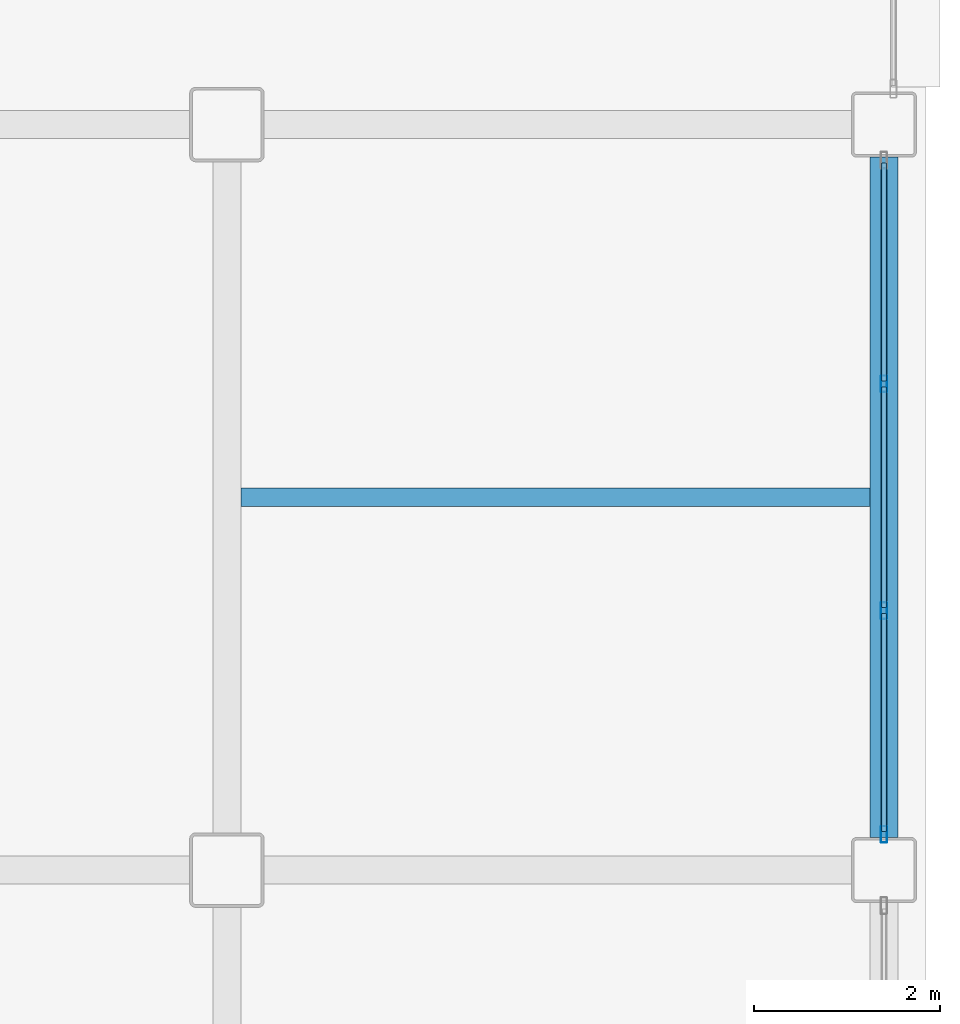
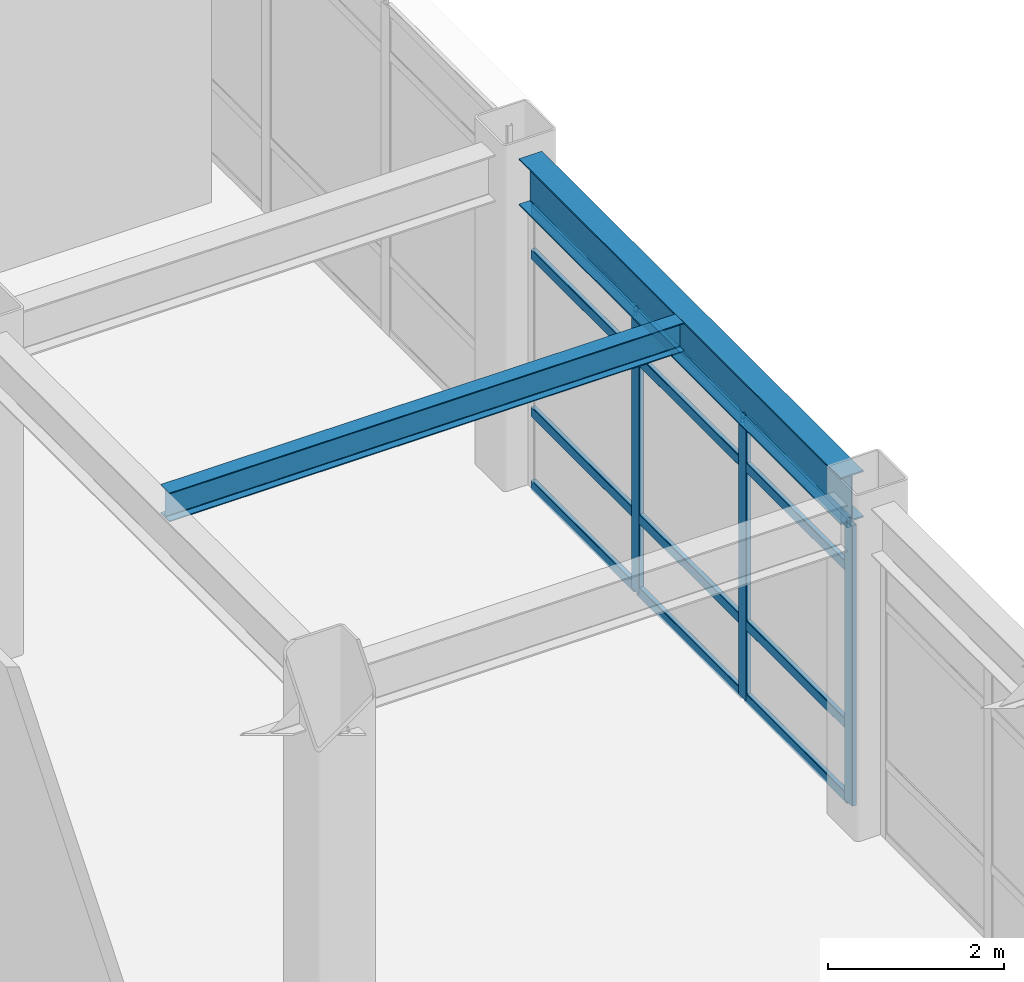
# One storey, part 97 of 154: 15 members, 2 beams, 1 element without a shape of its own.
"""IFC4 building model written with IfcOpenShell, lengths in metres."""

from ifc_helpers import new_model, si_unit, direction, frame, origin, origin_2d, place, context, subcontext, project, spatial, hollow_rectangle, i_section, extrude, material, layer, layer_set, material_profile, profile_set, type_object, element, aggregate, save


model = new_model("IFC4")

# Units and contexts
model_context = context("Model", 3, precision=1e-05, world=origin(), true_north=direction((0.0, 1.0)))
body_context = subcontext(model_context, "Body", "Model", "MODEL_VIEW")
ifc_project = project(units=[si_unit("LENGTHUNIT", "METRE"), si_unit("AREAUNIT", "SQUARE_METRE"), si_unit("VOLUMEUNIT", "CUBIC_METRE"), si_unit("PLANEANGLEUNIT", "RADIAN"), si_unit("MASSUNIT", "GRAM", prefix="KILO")], contexts=[model_context])

# Site, building, storey
site_placement = place(None, origin())
site = spatial("IfcSite", under=ifc_project, at=site_placement, CompositionType="ELEMENT")
building_placement = place(site_placement, origin())
building = spatial("IfcBuilding", under=site, at=building_placement, Name="Kazehara Bluff Congress Hotel", CompositionType="ELEMENT")
storey_placement = place(building_placement, frame((0.0, 0.0, 10.199951171875)))
storey = spatial("IfcBuildingStorey", under=building, at=storey_placement, Name="L02", CompositionType="ELEMENT", Elevation=10.199951171875)

# Curtain wall, members
ifc_material_1 = material(Name="Anodised aluminium", Category="aluminium")
ifc_layer = layer(ifc_material_1, 0.159912109375)
ifc_layer_set = layer_set([ifc_layer], Name="Anodised aluminium")
curtain_wall_type = type_object("IfcCurtainWallType", Name="TP-CW-80", PredefinedType="NOTDEFINED", material=ifc_layer_set)
curtain_wall_placement = place(storey_placement, origin())
curtain_wall = element("IfcCurtainWall", 1, at=curtain_wall_placement, inside=storey, type_object=curtain_wall_type, Name="L02 curtain wall CW-80 CW-V5-L02-X16755-5680", PredefinedType="NOTDEFINED")
ifc_material_2 = material(Name="Anodised aluminium", Category="aluminium")
ifc_material_profile_1 = material_profile(ifc_material_2, hollow_rectangle(XDim=0.06494140625, YDim=0.179931640625, WallThickness=0.00390625, InnerFilletRadius=0.00390625, OuterFilletRadius=0.008056640625, at=origin_2d()))
ifc_profile_set_1 = profile_set([ifc_material_profile_1], Name="Anodised aluminium")
member_type_1 = type_object("IfcMemberType", Name="TP-CWM-02", PredefinedType="MULLION", material=ifc_profile_set_1)
member_1_placement = place(storey_placement, frame((167.550048828125, 56.83251953125, 0.0), z_axis=(0.0, 0.0, 1.0), x_axis=(-1.0, 0.0, 0.0)))
member_1 = element("IfcMember", 2, at=member_1_placement, type_object=member_type_1, Name="CW-80 mullion 1", PredefinedType="MULLION", context=body_context, shape_type="SweptSolid", body=[
    extrude(hollow_rectangle(XDim=0.06494140625, YDim=0.179931640625, WallThickness=0.00390625, InnerFilletRadius=0.00390625, OuterFilletRadius=0.008056640625, at=origin_2d()), origin(), (0.0, 0.0, 1.0), 3.885009765625),
])
member_2_placement = place(storey_placement, frame((167.550048828125, 59.2333984375, 0.0), z_axis=(0.0, 0.0, 1.0), x_axis=(-1.0, 0.0, 0.0)))
member_2 = element("IfcMember", 3, at=member_2_placement, type_object=member_type_1, Name="CW-80 mullion 2", PredefinedType="MULLION", context=body_context, shape_type="SweptSolid", body=[
    extrude(hollow_rectangle(XDim=0.06494140625, YDim=0.179931640625, WallThickness=0.00390625, InnerFilletRadius=0.00390625, OuterFilletRadius=0.008056640625, at=origin_2d()), origin(), (0.0, 0.0, 1.0), 3.885009765625),
])
member_3_placement = place(storey_placement, frame((167.550048828125, 61.666748046875, 0.0), z_axis=(0.0, 0.0, 1.0), x_axis=(-1.0, 0.0, 0.0)))
member_3 = element("IfcMember", 4, at=member_3_placement, type_object=member_type_1, Name="CW-80 mullion 3", PredefinedType="MULLION", context=body_context, shape_type="SweptSolid", body=[
    extrude(hollow_rectangle(XDim=0.06494140625, YDim=0.179931640625, WallThickness=0.00390625, InnerFilletRadius=0.00390625, OuterFilletRadius=0.008056640625, at=origin_2d()), origin(), (0.0, 0.0, 1.0), 3.885009765625),
])
ifc_material_3 = material(Name="Anodised aluminium", Category="aluminium")
ifc_material_profile_2 = material_profile(ifc_material_3, hollow_rectangle(XDim=0.06494140625, YDim=0.139892578125, WallThickness=0.00390625, InnerFilletRadius=0.00390625, OuterFilletRadius=0.008056640625, at=origin_2d()))
ifc_profile_set_2 = profile_set([ifc_material_profile_2], Name="Anodised aluminium")
member_type_2 = type_object("IfcMemberType", Name="TP-CWT-02", PredefinedType="USERDEFINED", material=ifc_profile_set_2)
member_4_placement = place(storey_placement, frame((167.550048828125, 56.864990234375, 0.032470703125), z_axis=(0.0, 1.0, 0.0), x_axis=(-1.0, 0.0, 0.0)))
member_4 = element("IfcMember", 5, at=member_4_placement, type_object=member_type_2, Name="CW-80 transom 1.1", ObjectType="TRANSOM", PredefinedType="USERDEFINED", context=body_context, shape_type="SweptSolid", body=[
    extrude(hollow_rectangle(XDim=0.06494140625, YDim=0.139892578125, WallThickness=0.00390625, InnerFilletRadius=0.00390625, OuterFilletRadius=0.008056640625, at=origin_2d()), origin(), (0.0, 0.0, 1.0), 2.3359375),
])
member_5_placement = place(storey_placement, frame((167.550048828125, 56.864990234375, 1.050048828125), z_axis=(0.0, 1.0, 0.0), x_axis=(-1.0, 0.0, 0.0)))
member_5 = element("IfcMember", 6, at=member_5_placement, type_object=member_type_2, Name="CW-80 transom 1.2", ObjectType="TRANSOM", PredefinedType="USERDEFINED", context=body_context, shape_type="SweptSolid", body=[
    extrude(hollow_rectangle(XDim=0.06494140625, YDim=0.139892578125, WallThickness=0.00390625, InnerFilletRadius=0.00390625, OuterFilletRadius=0.008056640625, at=origin_2d()), origin(), (0.0, 0.0, 1.0), 2.3359375),
])
member_6_placement = place(storey_placement, frame((167.550048828125, 56.864990234375, 3.235107421875), z_axis=(0.0, 1.0, 0.0), x_axis=(-1.0, 0.0, 0.0)))
member_6 = element("IfcMember", 7, at=member_6_placement, type_object=member_type_2, Name="CW-80 transom 1.3", ObjectType="TRANSOM", PredefinedType="USERDEFINED", context=body_context, shape_type="SweptSolid", body=[
    extrude(hollow_rectangle(XDim=0.06494140625, YDim=0.139892578125, WallThickness=0.00390625, InnerFilletRadius=0.00390625, OuterFilletRadius=0.008056640625, at=origin_2d()), origin(), (0.0, 0.0, 1.0), 2.3359375),
])
member_7_placement = place(storey_placement, frame((167.550048828125, 56.864990234375, 3.8525390625), z_axis=(0.0, 1.0, 0.0), x_axis=(-1.0, 0.0, 0.0)))
member_7 = element("IfcMember", 8, at=member_7_placement, type_object=member_type_2, Name="CW-80 transom 1.4", ObjectType="TRANSOM", PredefinedType="USERDEFINED", context=body_context, shape_type="SweptSolid", body=[
    extrude(hollow_rectangle(XDim=0.06494140625, YDim=0.139892578125, WallThickness=0.00390625, InnerFilletRadius=0.00390625, OuterFilletRadius=0.008056640625, at=origin_2d()), origin(), (0.0, 0.0, 1.0), 2.3359375),
])
member_8_placement = place(storey_placement, frame((167.550048828125, 59.265869140625, 0.032470703125), z_axis=(0.0, 1.0, 0.0), x_axis=(-1.0, 0.0, 0.0)))
member_8 = element("IfcMember", 9, at=member_8_placement, type_object=member_type_2, Name="CW-80 transom 2.1", ObjectType="TRANSOM", PredefinedType="USERDEFINED", context=body_context, shape_type="SweptSolid", body=[
    extrude(hollow_rectangle(XDim=0.06494140625, YDim=0.139892578125, WallThickness=0.00390625, InnerFilletRadius=0.00390625, OuterFilletRadius=0.008056640625, at=origin_2d()), origin(), (0.0, 0.0, 1.0), 2.368408203125),
])
member_9_placement = place(storey_placement, frame((167.550048828125, 59.265869140625, 1.050048828125), z_axis=(0.0, 1.0, 0.0), x_axis=(-1.0, 0.0, 0.0)))
member_9 = element("IfcMember", 10, at=member_9_placement, type_object=member_type_2, Name="CW-80 transom 2.2", ObjectType="TRANSOM", PredefinedType="USERDEFINED", context=body_context, shape_type="SweptSolid", body=[
    extrude(hollow_rectangle(XDim=0.06494140625, YDim=0.139892578125, WallThickness=0.00390625, InnerFilletRadius=0.00390625, OuterFilletRadius=0.008056640625, at=origin_2d()), origin(), (0.0, 0.0, 1.0), 2.368408203125),
])
member_10_placement = place(storey_placement, frame((167.550048828125, 59.265869140625, 3.235107421875), z_axis=(0.0, 1.0, 0.0), x_axis=(-1.0, 0.0, 0.0)))
member_10 = element("IfcMember", 11, at=member_10_placement, type_object=member_type_2, Name="CW-80 transom 2.3", ObjectType="TRANSOM", PredefinedType="USERDEFINED", context=body_context, shape_type="SweptSolid", body=[
    extrude(hollow_rectangle(XDim=0.06494140625, YDim=0.139892578125, WallThickness=0.00390625, InnerFilletRadius=0.00390625, OuterFilletRadius=0.008056640625, at=origin_2d()), origin(), (0.0, 0.0, 1.0), 2.368408203125),
])
member_11_placement = place(storey_placement, frame((167.550048828125, 59.265869140625, 3.8525390625), z_axis=(0.0, 1.0, 0.0), x_axis=(-1.0, 0.0, 0.0)))
member_11 = element("IfcMember", 12, at=member_11_placement, type_object=member_type_2, Name="CW-80 transom 2.4", ObjectType="TRANSOM", PredefinedType="USERDEFINED", context=body_context, shape_type="SweptSolid", body=[
    extrude(hollow_rectangle(XDim=0.06494140625, YDim=0.139892578125, WallThickness=0.00390625, InnerFilletRadius=0.00390625, OuterFilletRadius=0.008056640625, at=origin_2d()), origin(), (0.0, 0.0, 1.0), 2.368408203125),
])
member_12_placement = place(storey_placement, frame((167.550048828125, 61.69921875, 0.032470703125), z_axis=(0.0, 1.0, 0.0), x_axis=(-1.0, 0.0, 0.0)))
member_12 = element("IfcMember", 13, at=member_12_placement, type_object=member_type_2, Name="CW-80 transom 3.1", ObjectType="TRANSOM", PredefinedType="USERDEFINED", context=body_context, shape_type="SweptSolid", body=[
    extrude(hollow_rectangle(XDim=0.06494140625, YDim=0.139892578125, WallThickness=0.00390625, InnerFilletRadius=0.00390625, OuterFilletRadius=0.008056640625, at=origin_2d()), origin(), (0.0, 0.0, 1.0), 2.335693359375),
])
member_13_placement = place(storey_placement, frame((167.550048828125, 61.69921875, 1.050048828125), z_axis=(0.0, 1.0, 0.0), x_axis=(-1.0, 0.0, 0.0)))
member_13 = element("IfcMember", 14, at=member_13_placement, type_object=member_type_2, Name="CW-80 transom 3.2", ObjectType="TRANSOM", PredefinedType="USERDEFINED", context=body_context, shape_type="SweptSolid", body=[
    extrude(hollow_rectangle(XDim=0.06494140625, YDim=0.139892578125, WallThickness=0.00390625, InnerFilletRadius=0.00390625, OuterFilletRadius=0.008056640625, at=origin_2d()), origin(), (0.0, 0.0, 1.0), 2.335693359375),
])
member_14_placement = place(storey_placement, frame((167.550048828125, 61.69921875, 3.235107421875), z_axis=(0.0, 1.0, 0.0), x_axis=(-1.0, 0.0, 0.0)))
member_14 = element("IfcMember", 15, at=member_14_placement, type_object=member_type_2, Name="CW-80 transom 3.3", ObjectType="TRANSOM", PredefinedType="USERDEFINED", context=body_context, shape_type="SweptSolid", body=[
    extrude(hollow_rectangle(XDim=0.06494140625, YDim=0.139892578125, WallThickness=0.00390625, InnerFilletRadius=0.00390625, OuterFilletRadius=0.008056640625, at=origin_2d()), origin(), (0.0, 0.0, 1.0), 2.335693359375),
])
member_15_placement = place(storey_placement, frame((167.550048828125, 61.69921875, 3.8525390625), z_axis=(0.0, 1.0, 0.0), x_axis=(-1.0, 0.0, 0.0)))
member_15 = element("IfcMember", 16, at=member_15_placement, type_object=member_type_2, Name="CW-80 transom 3.4", ObjectType="TRANSOM", PredefinedType="USERDEFINED", context=body_context, shape_type="SweptSolid", body=[
    extrude(hollow_rectangle(XDim=0.06494140625, YDim=0.139892578125, WallThickness=0.00390625, InnerFilletRadius=0.00390625, OuterFilletRadius=0.008056640625, at=origin_2d()), origin(), (0.0, 0.0, 1.0), 2.335693359375),
])
aggregate(curtain_wall, [member_1, member_2, member_3, member_4, member_5, member_6, member_7, member_8, member_9, member_10, member_11, member_12, member_13, member_14, member_15])

# Beams
ifc_material_4 = material(Name="Steel SN490B", Category="steel")
ifc_material_profile_3 = material_profile(ifc_material_4, i_section(OverallWidth=0.300048828125, OverallDepth=0.64990234375, WebThickness=0.011962890625, FlangeThickness=0.02001953125, FilletRadius=0.012939453125, at=origin_2d()))
ifc_profile_set_3 = profile_set([ifc_material_profile_3], Name="Steel SN490B")
beam_type_1 = type_object("IfcBeamType", Name="TP-G-03", PredefinedType="BEAM", material=ifc_profile_set_3)
beam_1_placement = place(storey_placement, frame((167.550048828125, 56.800048828125, 4.235107421875), z_axis=(0.0, 1.0, 0.0), x_axis=(-1.0, 0.0, 0.0)))
element("IfcBeam", 17, at=beam_1_placement, inside=storey, type_object=beam_type_1, Name="L02 girder G-03 175", PredefinedType="BEAM", context=body_context, shape_type="SweptSolid", body=[
    extrude(i_section(OverallWidth=0.300048828125, OverallDepth=0.64990234375, WebThickness=0.011962890625, FlangeThickness=0.02001953125, FilletRadius=0.012939453125, at=origin_2d()), origin(), (0.0, 0.0, 1.0), 7.300048828125),
])
ifc_material_5 = material(Name="Steel SN400B", Category="steel")
ifc_material_profile_4 = material_profile(ifc_material_5, i_section(OverallWidth=0.199951171875, OverallDepth=0.39990234375, WebThickness=0.008056640625, FlangeThickness=0.012939453125, FilletRadius=0.012939453125, at=origin_2d()))
ifc_profile_set_4 = profile_set([ifc_material_profile_4], Name="Steel SN400B")
beam_type_2 = type_object("IfcBeamType", Name="TP-J-03", PredefinedType="JOIST", material=ifc_profile_set_4)
beam_2_placement = place(storey_placement, frame((160.64990234375, 60.449951171875, 4.360107421875), z_axis=(1.0, 0.0, 0.0), x_axis=(0.0, 1.0, 0.0)))
element("IfcBeam", 18, at=beam_2_placement, inside=storey, type_object=beam_type_2, Name="L02 secondary joist J-03 49", PredefinedType="JOIST", context=body_context, shape_type="SweptSolid", body=[
    extrude(i_section(OverallWidth=0.199951171875, OverallDepth=0.39990234375, WebThickness=0.008056640625, FlangeThickness=0.012939453125, FilletRadius=0.012939453125, at=origin_2d()), origin(), (0.0, 0.0, 1.0), 6.75),
])

save(model, "model.ifc")
